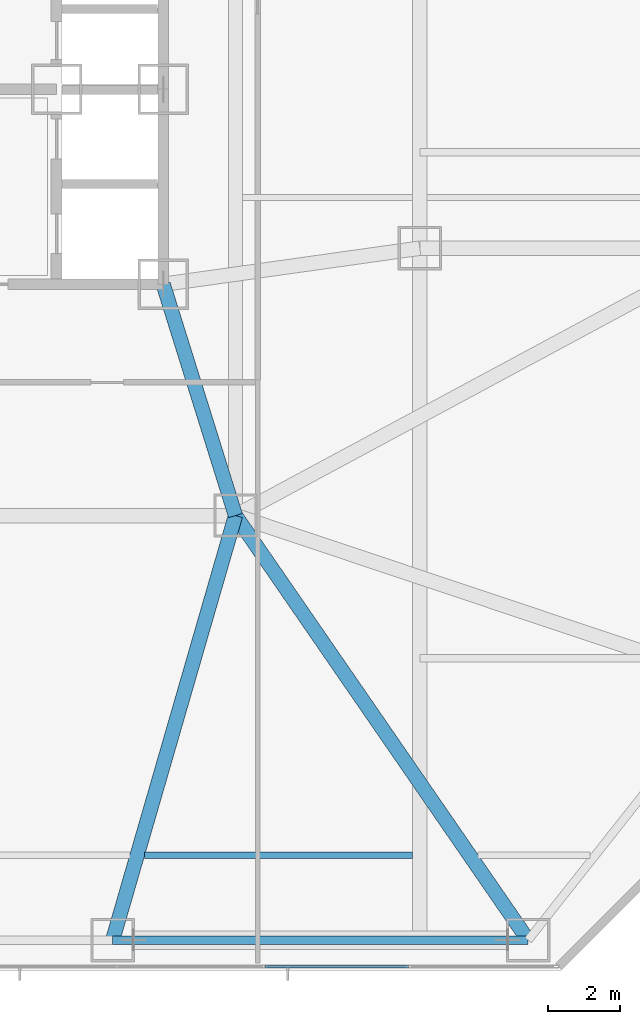
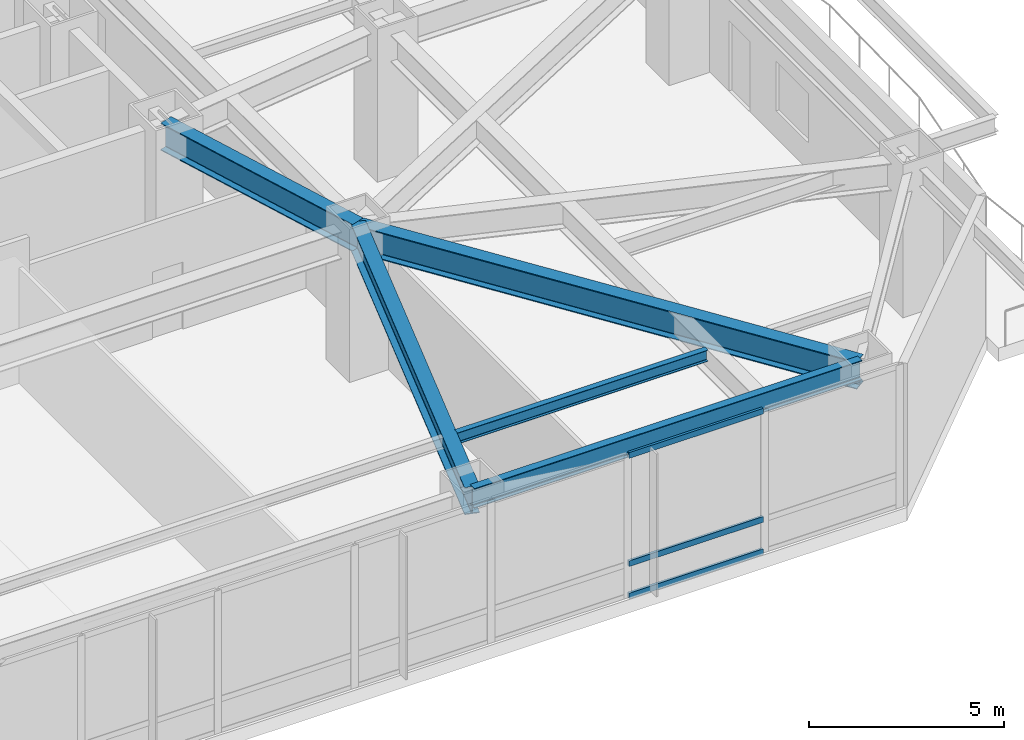
# One storey, part 7 of 33: 5 beams, 3 members, 1 element without a shape of its own.
"""IFC4 building model written with IfcOpenShell, lengths in metres."""

import ifcopenshell
import ifcopenshell.guid

model = None  # the IFC model being written
_history = None  # IfcOwnerHistory: only IFC2X3 demands one
_inside = {}  # id of a spatial element -> (the spatial element, [elements in it])
_under = {}  # id of a project, library or spatial element -> (it, [spatial elements below it])
_declared = {}  # id of a project -> (the project, [libraries it declares])
_typed = {}  # id of a type object -> (the type object, [elements of that type])
_made_of = {}  # id of a material, layer set ... -> (it, [elements and type objects made of it])


def new_model(schema):
    """Start an empty IFC model of exactly this schema.

    Asked for "IFC4X3", IfcOpenShell would pick the latest addendum, in which some entities
    have other attributes; the version numbers below select the first issue.
    IFC2X3 requires an IfcOwnerHistory on every rooted entity: one is made here for all.
    """
    global model, _history
    if schema == "IFC4X3":
        model = ifcopenshell.file(schema_version=(4, 3, 0, 0))
    else:
        model = ifcopenshell.file(schema=schema)
    _inside.clear()
    _under.clear()
    _declared.clear()
    _typed.clear()
    _made_of.clear()
    _history = None
    if model.schema == "IFC2X3":
        org = make("IfcOrganization", Name="unknown")
        user = make(
            "IfcPersonAndOrganization",
            ThePerson=make("IfcPerson", FamilyName="unknown"),
            TheOrganization=org,
        )
        app = make(
            "IfcApplication",
            ApplicationDeveloper=org,
            Version="unknown",
            ApplicationFullName="unknown",
            ApplicationIdentifier="unknown",
        )
        _history = make(
            "IfcOwnerHistory",
            OwningUser=user,
            OwningApplication=app,
            ChangeAction="ADDED",
            CreationDate=0,
        )
    return model


def make(cls, **values):
    """One entity of the class cls with the attributes given. An attribute that is None is left unset."""
    return model.create_entity(
        cls, **{name: value for name, value in values.items() if value is not None}
    )


def rooted(cls, **values):
    """An entity with a GlobalId (a new one), such as an element, a storey or a relation."""
    return make(cls, GlobalId=ifcopenshell.guid.new(), OwnerHistory=_history, **values)


def si_unit(unit_type, name, prefix=None):
    """IfcSIUnit, for example si_unit("LENGTHUNIT", "METRE", prefix="MILLI")."""
    return make("IfcSIUnit", UnitType=unit_type, Prefix=prefix, Name=name)


def assignment(units):
    """IfcUnitAssignment: the units of a project."""
    return None if units is None else make("IfcUnitAssignment", Units=units)


def point(xyz):
    """IfcCartesianPoint."""
    return None if xyz is None else make("IfcCartesianPoint", Coordinates=xyz)


def direction(xyz):
    """IfcDirection."""
    return None if xyz is None else make("IfcDirection", DirectionRatios=xyz)


def frame(location, z_axis=None, x_axis=None):
    """IfcAxis2Placement3D, a coordinate frame: its origin and axes. An axis left out is left unset."""
    return make(
        "IfcAxis2Placement3D",
        Location=point(location),
        Axis=direction(z_axis),
        RefDirection=direction(x_axis),
    )


def frame_2d(location, x_axis=None):
    """IfcAxis2Placement2D, a coordinate frame in the plane: its origin and x axis."""
    return make(
        "IfcAxis2Placement2D", Location=point(location), RefDirection=direction(x_axis)
    )


def origin():
    """The frame at (0, 0, 0) with its axes left unset."""
    return frame((0.0, 0.0, 0.0))


def origin_2d():
    """The frame at (0, 0) in the plane with its x axis left unset."""
    return frame_2d((0.0, 0.0))


def place(relative_to, where):
    """IfcLocalPlacement: puts the frame where relative to a parent placement (None: the world)."""
    return make(
        "IfcLocalPlacement", PlacementRelTo=relative_to, RelativePlacement=where
    )


def context(
    kind, dimensions, precision=None, world=None, true_north=None, identifier=None
):
    """IfcGeometricRepresentationContext, for example the 3D "Model" context."""
    return make(
        "IfcGeometricRepresentationContext",
        ContextIdentifier=identifier,
        ContextType=kind,
        CoordinateSpaceDimension=dimensions,
        Precision=precision,
        WorldCoordinateSystem=world,
        TrueNorth=true_north,
    )


def subcontext(parent, identifier, kind, view, scale=None):
    """IfcGeometricRepresentationSubContext, for example "Body" below "Model"."""
    return make(
        "IfcGeometricRepresentationSubContext",
        ContextIdentifier=identifier,
        ContextType=kind,
        ParentContext=parent,
        TargetScale=scale,
        TargetView=view,
    )


def project(units=None, contexts=None):
    """IfcProject with its units and contexts."""
    return rooted(
        "IfcProject",
        Name="project",
        RepresentationContexts=contexts,
        UnitsInContext=assignment(units),
    )


def spatial(cls, under=None, at=None, **own):
    """A site, building, storey or space (cls), placed at a placement, below another one or the project."""
    s = rooted(cls, ObjectPlacement=at, **own)
    if under is not None:
        _under.setdefault(under.id(), (under, []))[1].append(s)
    return s


def profile(cls, at=None, kind="AREA", **sizes):
    """A parametric profile (cls). Its sizes go by their IFC names, for example OverallWidth=200.0."""
    return make(cls, ProfileType=kind, Position=at, **sizes)


def hollow_rectangle(**sizes):
    """IfcRectangleHollowProfileDef."""
    return profile("IfcRectangleHollowProfileDef", **sizes)


def i_section(**sizes):
    """IfcIShapeProfileDef."""
    return profile("IfcIShapeProfileDef", **sizes)


def extrude(swept, where, along, depth):
    """IfcExtrudedAreaSolid: the profile swept, set in the frame where, extruded along a direction by depth."""
    return make(
        "IfcExtrudedAreaSolid",
        SweptArea=swept,
        Position=where,
        ExtrudedDirection=direction(along),
        Depth=depth,
    )


def shape(context_of_items, identifier, shape_type, items):
    """IfcShapeRepresentation: the items that make up one representation, for example the "Body"."""
    return make(
        "IfcShapeRepresentation",
        ContextOfItems=context_of_items,
        RepresentationIdentifier=identifier,
        RepresentationType=shape_type,
        Items=items,
    )


def material(Name=None, Category=None):
    """IfcMaterial."""
    return make("IfcMaterial", Name=Name, Category=Category)


def material_profile(
    of_material, cross_section, Name=None, Category=None, Priority=None
):
    """IfcMaterialProfile: a cross section and its material."""
    return make(
        "IfcMaterialProfile",
        Name=Name,
        Material=of_material,
        Profile=cross_section,
        Priority=Priority,
        Category=Category,
    )


def profile_set(profiles, Name=None, composite=None):
    """IfcMaterialProfileSet."""
    return make(
        "IfcMaterialProfileSet",
        Name=Name,
        MaterialProfiles=profiles,
        CompositeProfile=composite,
    )


def made_of(thing, what):
    """Note that an element or type object is made of a material, layer set ...; save() writes the relation."""
    if what is not None:
        _made_of.setdefault(what.id(), (what, []))[1].append(thing)
    return thing


def type_object(cls, material=None, **own):
    """A type object (cls), such as IfcWallType, which elements share."""
    return made_of(rooted(cls, **own), material)


def element(
    cls,
    number,
    at=None,
    inside=None,
    cuts=None,
    type_object=None,
    material=None,
    context=None,
    identifier="Body",
    shape_type=None,
    held_by="IfcProductDefinitionShape",
    body=None,
    shapes=None,
    **own,
):
    """One element of the class cls, such as IfcWall. Its Tag is "e" and its number.

    at: its placement. inside: the storey or other place that contains it. cuts: it is an
    opening in that element (IfcRelVoidsElement). A single representation is given by context,
    identifier, shape_type and body (its items); several are given by shapes. held_by: the class
    of the entity that holds the representations. save() writes the other relations.
    """
    e = rooted(cls, Tag="e%d" % number, ObjectPlacement=at, **own)
    if body is not None:
        shapes = [shape(context, identifier, shape_type, body)]
    if shapes is not None:
        e.Representation = make(held_by, Representations=shapes)
    if inside is not None:
        _inside.setdefault(inside.id(), (inside, []))[1].append(e)
    if cuts is not None:
        rooted(
            "IfcRelVoidsElement", RelatingBuildingElement=cuts, RelatedOpeningElement=e
        )
    if type_object is not None:
        _typed.setdefault(type_object.id(), (type_object, []))[1].append(e)
    return made_of(e, material)


def aggregate(whole, parts):
    """IfcRelAggregates: a whole, such as a stair, and the parts it consists of."""
    return rooted("IfcRelAggregates", RelatingObject=whole, RelatedObjects=parts)


def save(model, path):
    """Write the relations noted so far, then the file.

    IfcRelAggregates (storeys below a building ...), IfcRelContainedInSpatialStructure (elements
    in a storey), IfcRelDefinesByType, IfcRelAssociatesMaterial and IfcRelDeclares: one each for
    every whole, place, type object, material and project.
    """
    for whole, parts in _under.values():
        aggregate(whole, parts)
    for where, things in _inside.values():
        rooted(
            "IfcRelContainedInSpatialStructure",
            RelatedElements=things,
            RelatingStructure=where,
        )
    for kind, things in _typed.values():
        rooted("IfcRelDefinesByType", RelatedObjects=things, RelatingType=kind)
    for what, things in _made_of.values():
        rooted("IfcRelAssociatesMaterial", RelatedObjects=things, RelatingMaterial=what)
    for by, libraries in _declared.values():
        rooted("IfcRelDeclares", RelatingContext=by, RelatedDefinitions=libraries)
    model.write(path)


model = new_model("IFC4")

# Units and contexts
model_context = context("Model", 3, precision=1e-05, world=origin(), true_north=direction((0.0, 1.0)))
body_context = subcontext(model_context, "Body", "Model", "MODEL_VIEW")
ifc_project = project(units=[si_unit("LENGTHUNIT", "METRE"), si_unit("AREAUNIT", "SQUARE_METRE"), si_unit("VOLUMEUNIT", "CUBIC_METRE"), si_unit("PLANEANGLEUNIT", "RADIAN"), si_unit("MASSUNIT", "GRAM", prefix="KILO")], contexts=[model_context])

# Site, building, storey
site_placement = place(None, origin())
site = spatial("IfcSite", under=ifc_project, at=site_placement, CompositionType="ELEMENT")
building_placement = place(site_placement, origin())
building = spatial("IfcBuilding", under=site, at=building_placement, Name="Khamvora Tower", CompositionType="ELEMENT")
storey_placement = place(building_placement, frame((0.0, 0.0, 7.199951171875)))
storey = spatial("IfcBuildingStorey", under=building, at=storey_placement, Name="L01", CompositionType="ELEMENT", Elevation=7.199951171875)

# Beams
ifc_material_1 = material(Name="Steel S355", Category="steel")
ifc_material_profile_1 = material_profile(ifc_material_1, i_section(OverallWidth=0.1708984375, OverallDepth=0.35498046875, WebThickness=0.007080078125, FlangeThickness=0.011962890625, FilletRadius=0.010009765625, at=origin_2d()), Name="W360x51")
ifc_profile_set_1 = profile_set([ifc_material_profile_1], Name="Steel S355")
beam_type_1 = type_object("IfcBeamType", Name="BM-JS-W360x51", PredefinedType="JOIST", material=ifc_profile_set_1)
beam_1_placement = place(storey_placement, frame((38.883056640625, 3.199951171875, 4.302001953125), z_axis=(1.0, 0.0, 0.0), x_axis=(0.0, 1.0, 0.0)))
element("IfcBeam", 1, at=beam_1_placement, inside=storey, type_object=beam_type_1, Name="L01 secondary floor joist 05", PredefinedType="JOIST", context=body_context, shape_type="SweptSolid", body=[
    extrude(i_section(OverallWidth=0.1708984375, OverallDepth=0.35498046875, WebThickness=0.007080078125, FlangeThickness=0.011962890625, FilletRadius=0.010009765625, at=origin_2d()), origin(), (0.0, 0.0, 1.0), 7.421875),
])
ifc_material_profile_2 = material_profile(ifc_material_1, i_section(OverallWidth=0.39990234375, OverallDepth=0.85498046875, WebThickness=0.01806640625, FlangeThickness=0.029052734375, FilletRadius=0.01806640625, at=origin_2d()), Name="W840x299")
ifc_profile_set_2 = profile_set([ifc_material_profile_2], Name="Steel S355")
beam_type_2 = type_object("IfcBeamType", Name="BM-PG-W840x299", PredefinedType="BEAM", material=ifc_profile_set_2)
beam_2_placement = place(storey_placement, frame((41.39990234375, 12.60009765625, 4.052001953125), z_axis=(-0.277951455854, -0.960595121885, 0.0), x_axis=(0.960595121885, -0.277951455854, 0.0)))
element("IfcBeam", 2, at=beam_2_placement, inside=storey, type_object=beam_type_2, Name="L01 primary floor girder P03", PredefinedType="BEAM", context=body_context, shape_type="SweptSolid", body=[
    extrude(i_section(OverallWidth=0.39990234375, OverallDepth=0.85498046875, WebThickness=0.01806640625, FlangeThickness=0.029052734375, FilletRadius=0.01806640625, at=origin_2d()), origin(), (0.0, 0.0, 1.0), 12.23193359375),
])
beam_3_placement = place(storey_placement, frame((41.39990234375, 12.60009765625, 4.052001953125), z_axis=(0.567573841069, -0.823322497527, 0.0), x_axis=(0.823322497527, 0.567573841069, 0.0)))
element("IfcBeam", 3, at=beam_3_placement, inside=storey, type_object=beam_type_2, Name="L01 primary floor girder P04", PredefinedType="BEAM", context=body_context, shape_type="SweptSolid", body=[
    extrude(i_section(OverallWidth=0.39990234375, OverallDepth=0.85498046875, WebThickness=0.01806640625, FlangeThickness=0.029052734375, FilletRadius=0.01806640625, at=origin_2d()), origin(), (0.0, 0.0, 1.0), 14.271484375),
])
beam_4_placement = place(storey_placement, frame((39.39990234375, 19.0, 4.052001953125), z_axis=(0.298279139585, -0.95447868226, 0.0), x_axis=(0.95447868226, 0.298279139585, 0.0)))
element("IfcBeam", 4, at=beam_4_placement, inside=storey, type_object=beam_type_2, Name="L01 primary floor girder P18", PredefinedType="BEAM", context=body_context, shape_type="SweptSolid", body=[
    extrude(i_section(OverallWidth=0.39990234375, OverallDepth=0.85498046875, WebThickness=0.01806640625, FlangeThickness=0.029052734375, FilletRadius=0.01806640625, at=origin_2d()), origin(), (0.0, 0.0, 1.0), 6.705078125),
])
ifc_material_profile_3 = material_profile(ifc_material_1, i_section(OverallWidth=0.22998046875, OverallDepth=0.616943359375, WebThickness=0.012939453125, FlangeThickness=0.02197265625, FilletRadius=0.013916015625, at=origin_2d()), Name="W610x140")
ifc_profile_set_3 = profile_set([ifc_material_profile_3], Name="Steel S355")
beam_type_3 = type_object("IfcBeamType", Name="BM-SP-W610x140", PredefinedType="SPANDREL", material=ifc_profile_set_3)
beam_5_placement = place(storey_placement, frame((38.0, 0.85009765625, 4.171142578125), z_axis=(1.0, 0.0, 0.0), x_axis=(0.0, 1.0, 0.0)))
element("IfcBeam", 5, at=beam_5_placement, inside=storey, type_object=beam_type_3, Name="L01 perimeter spandrel beam P03-P04", PredefinedType="SPANDREL", context=body_context, shape_type="SweptSolid", body=[
    extrude(i_section(OverallWidth=0.22998046875, OverallDepth=0.616943359375, WebThickness=0.012939453125, FlangeThickness=0.02197265625, FilletRadius=0.013916015625, at=origin_2d()), origin(), (0.0, 0.0, 1.0), 11.5),
])

# Curtain wall, members
ifc_material_2 = material(Name="Anodised Aluminium 6063-T6", Category="aluminium")
curtain_wall_type = type_object("IfcCurtainWallType", Name="CW-SYS-01", PredefinedType="NOTDEFINED", material=ifc_material_2)
curtain_wall_placement = place(storey_placement, origin())
curtain_wall = element("IfcCurtainWall", 6, at=curtain_wall_placement, inside=storey, type_object=curtain_wall_type, Name="L01 stick curtain wall 14.1", PredefinedType="NOTDEFINED")
ifc_material_profile_4 = material_profile(ifc_material_2, hollow_rectangle(XDim=0.074951171875, YDim=0.179931640625, WallThickness=0.0048828125, at=origin_2d()), Name="TRN75x180x5")
ifc_profile_set_4 = profile_set([ifc_material_profile_4], Name="Anodised Aluminium 6063-T6")
member_type = type_object("IfcMemberType", Name="CW-SYS-01-TRN", PredefinedType="USERDEFINED", material=ifc_profile_set_4)
member_1_placement = place(storey_placement, frame((46.1875, 0.1201171875, 0.03759765625), z_axis=(-1.0, 0.0, 0.0), x_axis=(0.0, -1.0, 0.0)))
member_1 = element("IfcMember", 7, at=member_1_placement, type_object=member_type, Name="CW-01 transom 2.1", ObjectType="TRANSOM", PredefinedType="USERDEFINED", context=body_context, shape_type="SweptSolid", body=[
    extrude(hollow_rectangle(XDim=0.074951171875, YDim=0.179931640625, WallThickness=0.0048828125, at=origin_2d()), origin(), (0.0, 0.0, 1.0), 3.97509765625),
])
member_2_placement = place(storey_placement, frame((46.1875, 0.1201171875, 1.050048828125), z_axis=(-1.0, 0.0, 0.0), x_axis=(0.0, -1.0, 0.0)))
member_2 = element("IfcMember", 8, at=member_2_placement, type_object=member_type, Name="CW-01 transom 2.2", ObjectType="TRANSOM", PredefinedType="USERDEFINED", context=body_context, shape_type="SweptSolid", body=[
    extrude(hollow_rectangle(XDim=0.074951171875, YDim=0.179931640625, WallThickness=0.0048828125, at=origin_2d()), origin(), (0.0, 0.0, 1.0), 3.97509765625),
])
member_3_placement = place(storey_placement, frame((46.1875, 0.1201171875, 4.442626953125), z_axis=(-1.0, 0.0, 0.0), x_axis=(0.0, -1.0, 0.0)))
member_3 = element("IfcMember", 9, at=member_3_placement, type_object=member_type, Name="CW-01 transom 2.3", ObjectType="TRANSOM", PredefinedType="USERDEFINED", context=body_context, shape_type="SweptSolid", body=[
    extrude(hollow_rectangle(XDim=0.074951171875, YDim=0.179931640625, WallThickness=0.0048828125, at=origin_2d()), origin(), (0.0, 0.0, 1.0), 3.97509765625),
])
aggregate(curtain_wall, [member_1, member_2, member_3])

save(model, "model.ifc")
